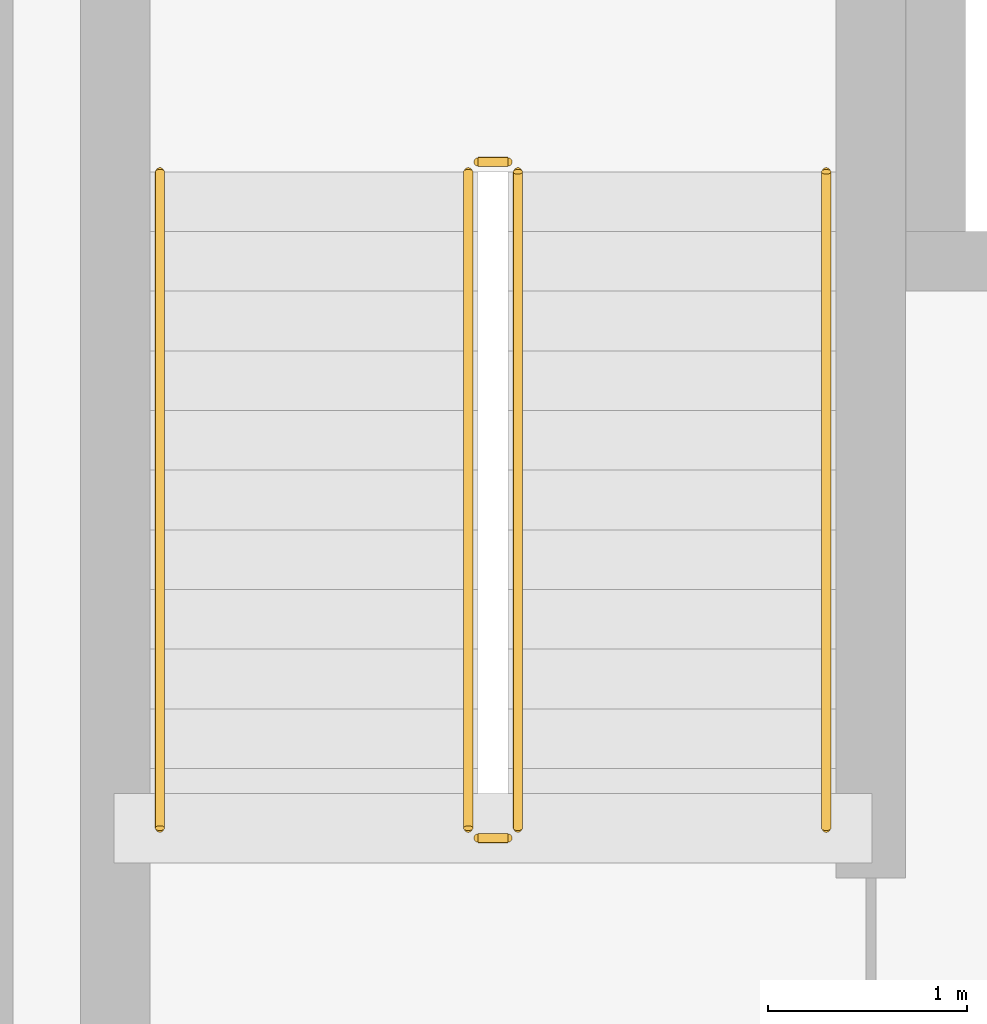
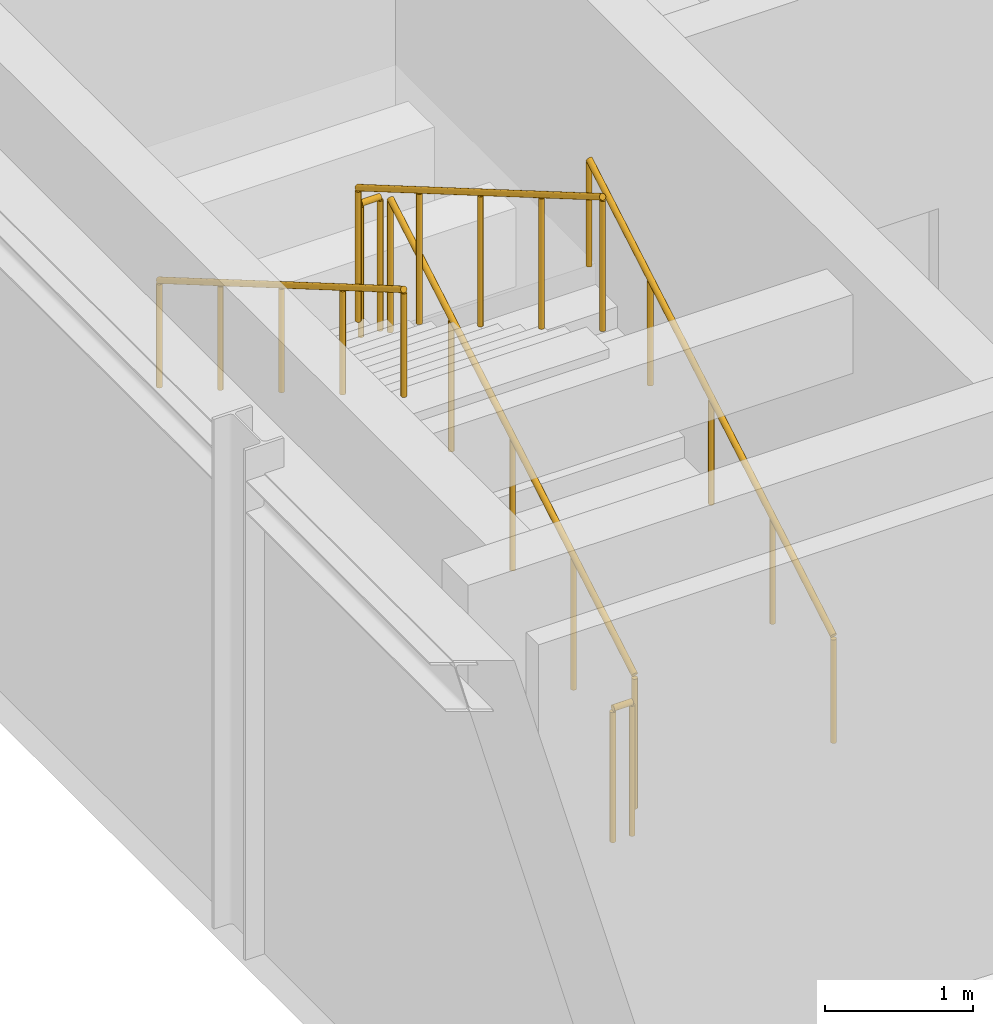
# One storey, part 98 of 104: 6 railings.
"""IFC4 building model written with IfcOpenShell, lengths in metres."""

import ifcopenshell
import ifcopenshell.guid

model = None  # the IFC model being written
_history = None  # IfcOwnerHistory: only IFC2X3 demands one
_inside = {}  # id of a spatial element -> (the spatial element, [elements in it])
_under = {}  # id of a project, library or spatial element -> (it, [spatial elements below it])
_declared = {}  # id of a project -> (the project, [libraries it declares])
_typed = {}  # id of a type object -> (the type object, [elements of that type])
_made_of = {}  # id of a material, layer set ... -> (it, [elements and type objects made of it])


def new_model(schema):
    """Start an empty IFC model of exactly this schema.

    Asked for "IFC4X3", IfcOpenShell would pick the latest addendum, in which some entities
    have other attributes; the version numbers below select the first issue.
    IFC2X3 requires an IfcOwnerHistory on every rooted entity: one is made here for all.
    """
    global model, _history
    if schema == "IFC4X3":
        model = ifcopenshell.file(schema_version=(4, 3, 0, 0))
    else:
        model = ifcopenshell.file(schema=schema)
    _inside.clear()
    _under.clear()
    _declared.clear()
    _typed.clear()
    _made_of.clear()
    _history = None
    if model.schema == "IFC2X3":
        org = make("IfcOrganization", Name="unknown")
        user = make(
            "IfcPersonAndOrganization",
            ThePerson=make("IfcPerson", FamilyName="unknown"),
            TheOrganization=org,
        )
        app = make(
            "IfcApplication",
            ApplicationDeveloper=org,
            Version="unknown",
            ApplicationFullName="unknown",
            ApplicationIdentifier="unknown",
        )
        _history = make(
            "IfcOwnerHistory",
            OwningUser=user,
            OwningApplication=app,
            ChangeAction="ADDED",
            CreationDate=0,
        )
    return model


def make(cls, **values):
    """One entity of the class cls with the attributes given. An attribute that is None is left unset."""
    return model.create_entity(
        cls, **{name: value for name, value in values.items() if value is not None}
    )


def rooted(cls, **values):
    """An entity with a GlobalId (a new one), such as an element, a storey or a relation."""
    return make(cls, GlobalId=ifcopenshell.guid.new(), OwnerHistory=_history, **values)


def si_unit(unit_type, name, prefix=None):
    """IfcSIUnit, for example si_unit("LENGTHUNIT", "METRE", prefix="MILLI")."""
    return make("IfcSIUnit", UnitType=unit_type, Prefix=prefix, Name=name)


def assignment(units):
    """IfcUnitAssignment: the units of a project."""
    return None if units is None else make("IfcUnitAssignment", Units=units)


def point(xyz):
    """IfcCartesianPoint."""
    return None if xyz is None else make("IfcCartesianPoint", Coordinates=xyz)


def direction(xyz):
    """IfcDirection."""
    return None if xyz is None else make("IfcDirection", DirectionRatios=xyz)


def frame(location, z_axis=None, x_axis=None):
    """IfcAxis2Placement3D, a coordinate frame: its origin and axes. An axis left out is left unset."""
    return make(
        "IfcAxis2Placement3D",
        Location=point(location),
        Axis=direction(z_axis),
        RefDirection=direction(x_axis),
    )


def frame_2d(location, x_axis=None):
    """IfcAxis2Placement2D, a coordinate frame in the plane: its origin and x axis."""
    return make(
        "IfcAxis2Placement2D", Location=point(location), RefDirection=direction(x_axis)
    )


def origin():
    """The frame at (0, 0, 0) with its axes left unset."""
    return frame((0.0, 0.0, 0.0))


def origin_2d():
    """The frame at (0, 0) in the plane with its x axis left unset."""
    return frame_2d((0.0, 0.0))


def place(relative_to, where):
    """IfcLocalPlacement: puts the frame where relative to a parent placement (None: the world)."""
    return make(
        "IfcLocalPlacement", PlacementRelTo=relative_to, RelativePlacement=where
    )


def context(
    kind, dimensions, precision=None, world=None, true_north=None, identifier=None
):
    """IfcGeometricRepresentationContext, for example the 3D "Model" context."""
    return make(
        "IfcGeometricRepresentationContext",
        ContextIdentifier=identifier,
        ContextType=kind,
        CoordinateSpaceDimension=dimensions,
        Precision=precision,
        WorldCoordinateSystem=world,
        TrueNorth=true_north,
    )


def subcontext(parent, identifier, kind, view, scale=None):
    """IfcGeometricRepresentationSubContext, for example "Body" below "Model"."""
    return make(
        "IfcGeometricRepresentationSubContext",
        ContextIdentifier=identifier,
        ContextType=kind,
        ParentContext=parent,
        TargetScale=scale,
        TargetView=view,
    )


def project(units=None, contexts=None):
    """IfcProject with its units and contexts."""
    return rooted(
        "IfcProject",
        Name="project",
        RepresentationContexts=contexts,
        UnitsInContext=assignment(units),
    )


def spatial(cls, under=None, at=None, **own):
    """A site, building, storey or space (cls), placed at a placement, below another one or the project."""
    s = rooted(cls, ObjectPlacement=at, **own)
    if under is not None:
        _under.setdefault(under.id(), (under, []))[1].append(s)
    return s


def profile(cls, at=None, kind="AREA", **sizes):
    """A parametric profile (cls). Its sizes go by their IFC names, for example OverallWidth=200.0."""
    return make(cls, ProfileType=kind, Position=at, **sizes)


def circle(**sizes):
    """IfcCircleProfileDef."""
    return profile("IfcCircleProfileDef", **sizes)


def extrude(swept, where, along, depth):
    """IfcExtrudedAreaSolid: the profile swept, set in the frame where, extruded along a direction by depth."""
    return make(
        "IfcExtrudedAreaSolid",
        SweptArea=swept,
        Position=where,
        ExtrudedDirection=direction(along),
        Depth=depth,
    )


def shape(context_of_items, identifier, shape_type, items):
    """IfcShapeRepresentation: the items that make up one representation, for example the "Body"."""
    return make(
        "IfcShapeRepresentation",
        ContextOfItems=context_of_items,
        RepresentationIdentifier=identifier,
        RepresentationType=shape_type,
        Items=items,
    )


def material(Name=None, Category=None):
    """IfcMaterial."""
    return make("IfcMaterial", Name=Name, Category=Category)


def material_profile(
    of_material, cross_section, Name=None, Category=None, Priority=None
):
    """IfcMaterialProfile: a cross section and its material."""
    return make(
        "IfcMaterialProfile",
        Name=Name,
        Material=of_material,
        Profile=cross_section,
        Priority=Priority,
        Category=Category,
    )


def profile_set(profiles, Name=None, composite=None):
    """IfcMaterialProfileSet."""
    return make(
        "IfcMaterialProfileSet",
        Name=Name,
        MaterialProfiles=profiles,
        CompositeProfile=composite,
    )


def made_of(thing, what):
    """Note that an element or type object is made of a material, layer set ...; save() writes the relation."""
    if what is not None:
        _made_of.setdefault(what.id(), (what, []))[1].append(thing)
    return thing


def type_object(cls, material=None, **own):
    """A type object (cls), such as IfcWallType, which elements share."""
    return made_of(rooted(cls, **own), material)


def element(
    cls,
    number,
    at=None,
    inside=None,
    cuts=None,
    type_object=None,
    material=None,
    context=None,
    identifier="Body",
    shape_type=None,
    held_by="IfcProductDefinitionShape",
    body=None,
    shapes=None,
    **own,
):
    """One element of the class cls, such as IfcWall. Its Tag is "e" and its number.

    at: its placement. inside: the storey or other place that contains it. cuts: it is an
    opening in that element (IfcRelVoidsElement). A single representation is given by context,
    identifier, shape_type and body (its items); several are given by shapes. held_by: the class
    of the entity that holds the representations. save() writes the other relations.
    """
    e = rooted(cls, Tag="e%d" % number, ObjectPlacement=at, **own)
    if body is not None:
        shapes = [shape(context, identifier, shape_type, body)]
    if shapes is not None:
        e.Representation = make(held_by, Representations=shapes)
    if inside is not None:
        _inside.setdefault(inside.id(), (inside, []))[1].append(e)
    if cuts is not None:
        rooted(
            "IfcRelVoidsElement", RelatingBuildingElement=cuts, RelatedOpeningElement=e
        )
    if type_object is not None:
        _typed.setdefault(type_object.id(), (type_object, []))[1].append(e)
    return made_of(e, material)


def aggregate(whole, parts):
    """IfcRelAggregates: a whole, such as a stair, and the parts it consists of."""
    return rooted("IfcRelAggregates", RelatingObject=whole, RelatedObjects=parts)


def save(model, path):
    """Write the relations noted so far, then the file.

    IfcRelAggregates (storeys below a building ...), IfcRelContainedInSpatialStructure (elements
    in a storey), IfcRelDefinesByType, IfcRelAssociatesMaterial and IfcRelDeclares: one each for
    every whole, place, type object, material and project.
    """
    for whole, parts in _under.values():
        aggregate(whole, parts)
    for where, things in _inside.values():
        rooted(
            "IfcRelContainedInSpatialStructure",
            RelatedElements=things,
            RelatingStructure=where,
        )
    for kind, things in _typed.values():
        rooted("IfcRelDefinesByType", RelatedObjects=things, RelatingType=kind)
    for what, things in _made_of.values():
        rooted("IfcRelAssociatesMaterial", RelatedObjects=things, RelatingMaterial=what)
    for by, libraries in _declared.values():
        rooted("IfcRelDeclares", RelatingContext=by, RelatedDefinitions=libraries)
    model.write(path)


model = new_model("IFC4")

# Units and contexts
model_context = context("Model", 3, precision=1e-05, world=origin(), true_north=direction((0.0, 1.0)))
body_context = subcontext(model_context, "Body", "Model", "MODEL_VIEW")
ifc_project = project(units=[si_unit("LENGTHUNIT", "METRE"), si_unit("AREAUNIT", "SQUARE_METRE"), si_unit("VOLUMEUNIT", "CUBIC_METRE"), si_unit("PLANEANGLEUNIT", "RADIAN"), si_unit("MASSUNIT", "GRAM", prefix="KILO")], contexts=[model_context])

# Site, building, storey
site_placement = place(None, origin())
site = spatial("IfcSite", under=ifc_project, at=site_placement, CompositionType="ELEMENT")
building_placement = place(site_placement, origin())
building = spatial("IfcBuilding", under=site, at=building_placement, Name="Tazoul Stagehouse", CompositionType="ELEMENT")
storey_placement = place(building_placement, frame((0.0, 0.0, 9.0)))
storey = spatial("IfcBuildingStorey", under=building, at=storey_placement, Name="L02", CompositionType="ELEMENT", Elevation=9.0)

# Railings
ifc_material = material(Name="Brushed Stainless Steel 316L", Category="steel")
ifc_material_profile_1 = material_profile(ifc_material, circle(Radius=0.02392578125, at=origin_2d()), Name="SS RAIL D48")
ifc_profile_set_1 = profile_set([ifc_material_profile_1], Name="Brushed Stainless Steel 316L")
railing_type_1 = type_object("IfcRailingType", Name="Architectural Guardrail H1120", PredefinedType="GUARDRAIL", material=ifc_profile_set_1)
railing_1_placement = place(storey_placement, frame((60.5, 103.800048828125, 0.175048828125)))
element("IfcRailing", 1, at=railing_1_placement, inside=storey, type_object=railing_type_1, Name="L02 ST-03 stair guard 1", PredefinedType="GUARDRAIL", context=body_context, shape_type="SweptSolid", body=[
    extrude(circle(Radius=0.02392578125, at=origin_2d()), frame((0.0, 0.0, 1.09619140625), z_axis=(0.0, 0.863776583165, 0.503874998761), x_axis=(-1.0, 0.0, 0.0)), (0.0, 0.0, 1.0), 3.820556640625),
    extrude(circle(Radius=0.02099609375, at=origin_2d()), origin(), (0.0, 0.0, 1.0), 1.072021484375),
    extrude(circle(Radius=0.02099609375, at=origin_2d()), frame((0.0, 0.824951171875, 0.481201171875)), (0.0, 0.0, 1.0), 1.072021484375),
    extrude(circle(Radius=0.02099609375, at=origin_2d()), frame((0.0, 1.64990234375, 0.96240234375)), (0.0, 0.0, 1.0), 1.072021484375),
    extrude(circle(Radius=0.02099609375, at=origin_2d()), frame((0.0, 2.47509765625, 1.44384765625)), (0.0, 0.0, 1.0), 1.072021484375),
    extrude(circle(Radius=0.02099609375, at=origin_2d()), frame((0.0, 3.300048828125, 1.925048828125)), (0.0, 0.0, 1.0), 1.072021484375),
])
railing_2_placement = place(storey_placement, frame((60.449951171875, 107.14990234375, 2.10009765625)))
element("IfcRailing", 2, at=railing_2_placement, inside=storey, type_object=railing_type_1, Name="L02 ST-03 stair guard 2", PredefinedType="GUARDRAIL", context=body_context, shape_type="SweptSolid", body=[
    extrude(circle(Radius=0.02392578125, at=origin_2d()), frame((0.0, 0.0, 1.09619140625), z_axis=(-1.0, 0.0, 0.0), x_axis=(0.0, -1.0, 0.0)), (0.0, 0.0, 1.0), 0.14990234375),
    extrude(circle(Radius=0.02099609375, at=origin_2d()), origin(), (0.0, 0.0, 1.0), 1.072021484375),
    extrude(circle(Radius=0.02099609375, at=origin_2d()), frame((-0.14990234375, 0.0, 0.0)), (0.0, 0.0, 1.0), 1.072021484375),
])
railing_3_placement = place(storey_placement, frame((60.25, 107.10009765625, 2.27490234375)))
element("IfcRailing", 3, at=railing_3_placement, inside=storey, type_object=railing_type_1, Name="L02 ST-03 stair guard 3", PredefinedType="GUARDRAIL", context=body_context, shape_type="SweptSolid", body=[
    extrude(circle(Radius=0.02392578125, at=origin_2d()), frame((0.0, 0.0, 1.09619140625), z_axis=(0.0, -0.863776583165, 0.503874998761), x_axis=(1.0, 0.0, 0.0)), (0.0, 0.0, 1.0), 3.820556640625),
    extrude(circle(Radius=0.02099609375, at=origin_2d()), origin(), (0.0, 0.0, 1.0), 1.072021484375),
    extrude(circle(Radius=0.02099609375, at=origin_2d()), frame((0.0, -0.824951171875, 0.481201171875)), (0.0, 0.0, 1.0), 1.072021484375),
    extrude(circle(Radius=0.02099609375, at=origin_2d()), frame((0.0, -1.64990234375, 0.96240234375)), (0.0, 0.0, 1.0), 1.072021484375),
    extrude(circle(Radius=0.02099609375, at=origin_2d()), frame((0.0, -2.47509765625, 1.44384765625)), (0.0, 0.0, 1.0), 1.072021484375),
    extrude(circle(Radius=0.02099609375, at=origin_2d()), frame((0.0, -3.300048828125, 1.925048828125)), (0.0, 0.0, 1.0), 1.072021484375),
])
railing_4_placement = place(storey_placement, frame((60.449951171875, 103.75, 0.0)))
element("IfcRailing", 4, at=railing_4_placement, inside=storey, type_object=railing_type_1, Name="L02 ST-03 stair guard 4", PredefinedType="GUARDRAIL", context=body_context, shape_type="SweptSolid", body=[
    extrude(circle(Radius=0.02392578125, at=origin_2d()), frame((0.0, 0.0, 1.09619140625), z_axis=(-1.0, 0.0, 0.0), x_axis=(0.0, -1.0, 0.0)), (0.0, 0.0, 1.0), 0.14990234375),
    extrude(circle(Radius=0.02099609375, at=origin_2d()), origin(), (0.0, 0.0, 1.0), 1.072021484375),
    extrude(circle(Radius=0.02099609375, at=origin_2d()), frame((-0.14990234375, 0.0, 0.0)), (0.0, 0.0, 1.0), 1.072021484375),
])
ifc_material_profile_2 = material_profile(ifc_material, circle(Radius=0.02099609375, at=origin_2d()), Name="SS HANDRAIL D42")
ifc_profile_set_2 = profile_set([ifc_material_profile_2], Name="Brushed Stainless Steel 316L")
railing_type_2 = type_object("IfcRailingType", Name="Continuous Stair Handrail H900", PredefinedType="HANDRAIL", material=ifc_profile_set_2)
railing_5_placement = place(storey_placement, frame((62.050048828125, 103.800048828125, 0.175048828125)))
element("IfcRailing", 5, at=railing_5_placement, inside=storey, type_object=railing_type_2, Name="L02 ST-03 stair handrail 1", PredefinedType="HANDRAIL", context=body_context, shape_type="SweptSolid", body=[
    extrude(circle(Radius=0.02392578125, at=origin_2d()), frame((0.0, 0.0, 0.8759765625), z_axis=(0.0, 0.863776583165, 0.503874998761), x_axis=(-1.0, 0.0, 0.0)), (0.0, 0.0, 1.0), 3.820556640625),
    extrude(circle(Radius=0.02099609375, at=origin_2d()), origin(), (0.0, 0.0, 1.0), 0.851806640625),
    extrude(circle(Radius=0.02099609375, at=origin_2d()), frame((0.0, 0.824951171875, 0.481201171875)), (0.0, 0.0, 1.0), 0.851806640625),
    extrude(circle(Radius=0.02099609375, at=origin_2d()), frame((0.0, 1.64990234375, 0.96240234375)), (0.0, 0.0, 1.0), 0.851806640625),
    extrude(circle(Radius=0.02099609375, at=origin_2d()), frame((0.0, 2.47509765625, 1.44384765625)), (0.0, 0.0, 1.0), 0.851806640625),
    extrude(circle(Radius=0.02099609375, at=origin_2d()), frame((0.0, 3.300048828125, 1.925048828125)), (0.0, 0.0, 1.0), 0.851806640625),
])
railing_6_placement = place(storey_placement, frame((58.699951171875, 107.10009765625, 2.27490234375)))
element("IfcRailing", 6, at=railing_6_placement, inside=storey, type_object=railing_type_2, Name="L02 ST-03 stair handrail 2", PredefinedType="HANDRAIL", context=body_context, shape_type="SweptSolid", body=[
    extrude(circle(Radius=0.02392578125, at=origin_2d()), frame((0.0, 0.0, 0.8759765625), z_axis=(0.0, -0.863776583165, 0.503874998761), x_axis=(1.0, 0.0, 0.0)), (0.0, 0.0, 1.0), 3.820556640625),
    extrude(circle(Radius=0.02099609375, at=origin_2d()), origin(), (0.0, 0.0, 1.0), 0.851806640625),
    extrude(circle(Radius=0.02099609375, at=origin_2d()), frame((0.0, -0.824951171875, 0.481201171875)), (0.0, 0.0, 1.0), 0.851806640625),
    extrude(circle(Radius=0.02099609375, at=origin_2d()), frame((0.0, -1.64990234375, 0.96240234375)), (0.0, 0.0, 1.0), 0.851806640625),
    extrude(circle(Radius=0.02099609375, at=origin_2d()), frame((0.0, -2.47509765625, 1.44384765625)), (0.0, 0.0, 1.0), 0.851806640625),
    extrude(circle(Radius=0.02099609375, at=origin_2d()), frame((0.0, -3.300048828125, 1.925048828125)), (0.0, 0.0, 1.0), 0.851806640625),
])

save(model, "model.ifc")
